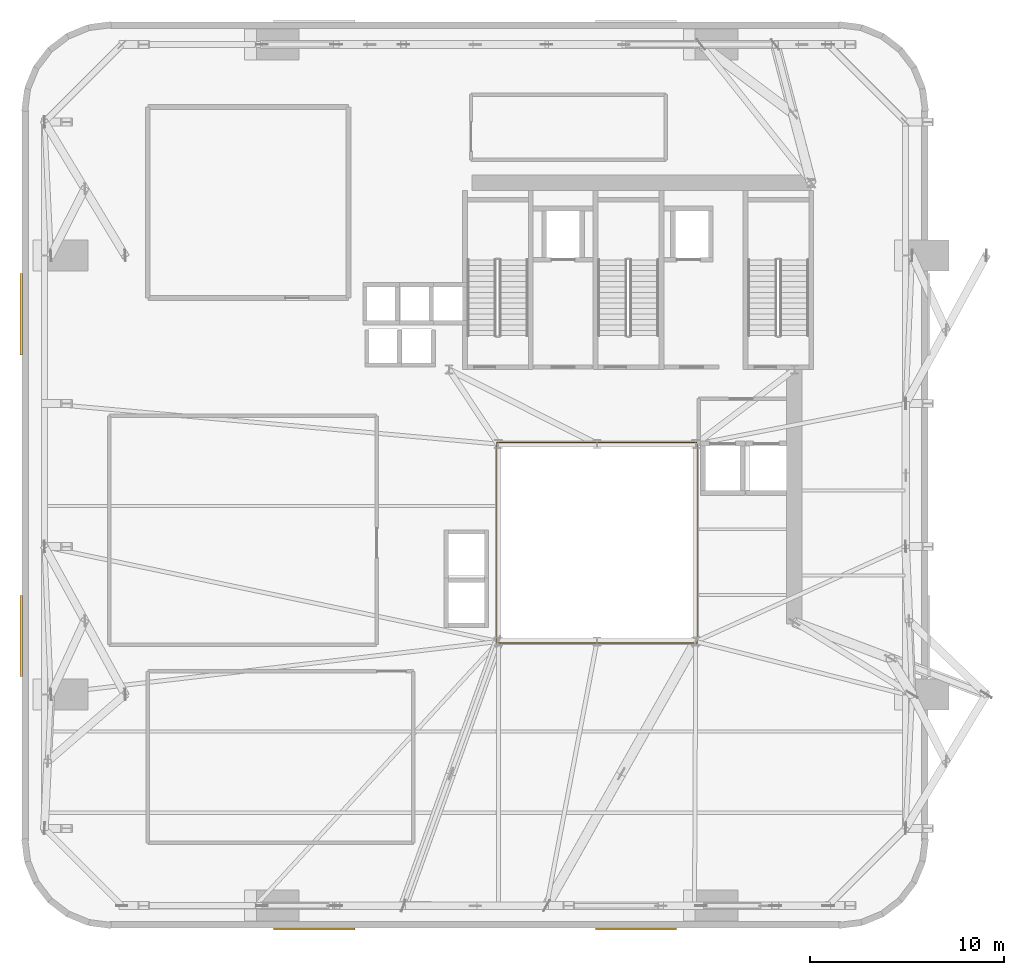
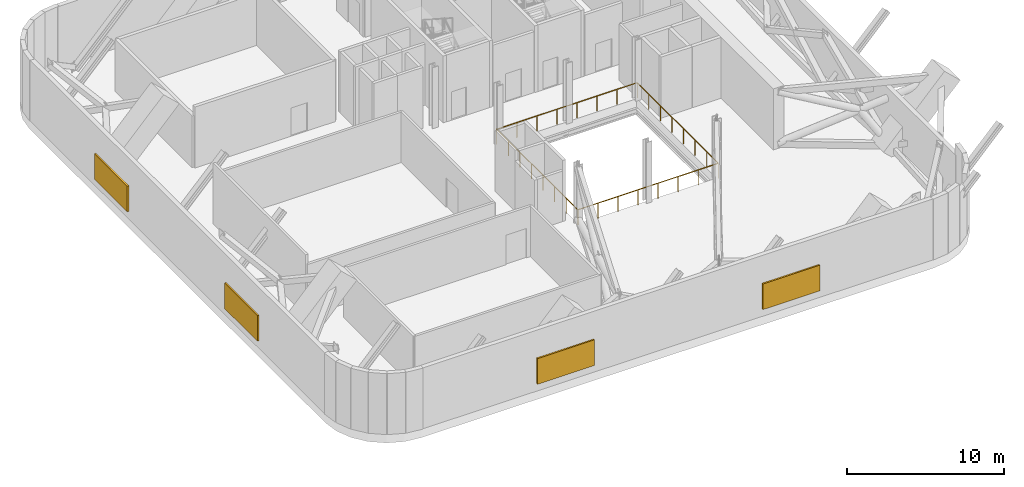
# One storey, part 10 of 12: 4 shading devices, 1 railing.
"""IFC4 building model written with IfcOpenShell, lengths in metres."""

import ifcopenshell
import ifcopenshell.guid

model = None  # the IFC model being written
_history = None  # IfcOwnerHistory: only IFC2X3 demands one
_inside = {}  # id of a spatial element -> (the spatial element, [elements in it])
_under = {}  # id of a project, library or spatial element -> (it, [spatial elements below it])
_declared = {}  # id of a project -> (the project, [libraries it declares])
_typed = {}  # id of a type object -> (the type object, [elements of that type])
_made_of = {}  # id of a material, layer set ... -> (it, [elements and type objects made of it])


def new_model(schema):
    """Start an empty IFC model of exactly this schema.

    Asked for "IFC4X3", IfcOpenShell would pick the latest addendum, in which some entities
    have other attributes; the version numbers below select the first issue.
    IFC2X3 requires an IfcOwnerHistory on every rooted entity: one is made here for all.
    """
    global model, _history
    if schema == "IFC4X3":
        model = ifcopenshell.file(schema_version=(4, 3, 0, 0))
    else:
        model = ifcopenshell.file(schema=schema)
    _inside.clear()
    _under.clear()
    _declared.clear()
    _typed.clear()
    _made_of.clear()
    _history = None
    if model.schema == "IFC2X3":
        org = make("IfcOrganization", Name="unknown")
        user = make(
            "IfcPersonAndOrganization",
            ThePerson=make("IfcPerson", FamilyName="unknown"),
            TheOrganization=org,
        )
        app = make(
            "IfcApplication",
            ApplicationDeveloper=org,
            Version="unknown",
            ApplicationFullName="unknown",
            ApplicationIdentifier="unknown",
        )
        _history = make(
            "IfcOwnerHistory",
            OwningUser=user,
            OwningApplication=app,
            ChangeAction="ADDED",
            CreationDate=0,
        )
    return model


def make(cls, **values):
    """One entity of the class cls with the attributes given. An attribute that is None is left unset."""
    return model.create_entity(
        cls, **{name: value for name, value in values.items() if value is not None}
    )


def rooted(cls, **values):
    """An entity with a GlobalId (a new one), such as an element, a storey or a relation."""
    return make(cls, GlobalId=ifcopenshell.guid.new(), OwnerHistory=_history, **values)


def si_unit(unit_type, name, prefix=None):
    """IfcSIUnit, for example si_unit("LENGTHUNIT", "METRE", prefix="MILLI")."""
    return make("IfcSIUnit", UnitType=unit_type, Prefix=prefix, Name=name)


def assignment(units):
    """IfcUnitAssignment: the units of a project."""
    return None if units is None else make("IfcUnitAssignment", Units=units)


def point(xyz):
    """IfcCartesianPoint."""
    return None if xyz is None else make("IfcCartesianPoint", Coordinates=xyz)


def direction(xyz):
    """IfcDirection."""
    return None if xyz is None else make("IfcDirection", DirectionRatios=xyz)


def frame(location, z_axis=None, x_axis=None):
    """IfcAxis2Placement3D, a coordinate frame: its origin and axes. An axis left out is left unset."""
    return make(
        "IfcAxis2Placement3D",
        Location=point(location),
        Axis=direction(z_axis),
        RefDirection=direction(x_axis),
    )


def frame_2d(location, x_axis=None):
    """IfcAxis2Placement2D, a coordinate frame in the plane: its origin and x axis."""
    return make(
        "IfcAxis2Placement2D", Location=point(location), RefDirection=direction(x_axis)
    )


def origin():
    """The frame at (0, 0, 0) with its axes left unset."""
    return frame((0.0, 0.0, 0.0))


def origin_2d():
    """The frame at (0, 0) in the plane with its x axis left unset."""
    return frame_2d((0.0, 0.0))


def place(relative_to, where):
    """IfcLocalPlacement: puts the frame where relative to a parent placement (None: the world)."""
    return make(
        "IfcLocalPlacement", PlacementRelTo=relative_to, RelativePlacement=where
    )


def context(
    kind, dimensions, precision=None, world=None, true_north=None, identifier=None
):
    """IfcGeometricRepresentationContext, for example the 3D "Model" context."""
    return make(
        "IfcGeometricRepresentationContext",
        ContextIdentifier=identifier,
        ContextType=kind,
        CoordinateSpaceDimension=dimensions,
        Precision=precision,
        WorldCoordinateSystem=world,
        TrueNorth=true_north,
    )


def subcontext(parent, identifier, kind, view, scale=None):
    """IfcGeometricRepresentationSubContext, for example "Body" below "Model"."""
    return make(
        "IfcGeometricRepresentationSubContext",
        ContextIdentifier=identifier,
        ContextType=kind,
        ParentContext=parent,
        TargetScale=scale,
        TargetView=view,
    )


def project(units=None, contexts=None):
    """IfcProject with its units and contexts."""
    return rooted(
        "IfcProject",
        Name="project",
        RepresentationContexts=contexts,
        UnitsInContext=assignment(units),
    )


def spatial(cls, under=None, at=None, **own):
    """A site, building, storey or space (cls), placed at a placement, below another one or the project."""
    s = rooted(cls, ObjectPlacement=at, **own)
    if under is not None:
        _under.setdefault(under.id(), (under, []))[1].append(s)
    return s


def profile(cls, at=None, kind="AREA", **sizes):
    """A parametric profile (cls). Its sizes go by their IFC names, for example OverallWidth=200.0."""
    return make(cls, ProfileType=kind, Position=at, **sizes)


def rectangle(**sizes):
    """IfcRectangleProfileDef."""
    return profile("IfcRectangleProfileDef", **sizes)


def extrude(swept, where, along, depth):
    """IfcExtrudedAreaSolid: the profile swept, set in the frame where, extruded along a direction by depth."""
    return make(
        "IfcExtrudedAreaSolid",
        SweptArea=swept,
        Position=where,
        ExtrudedDirection=direction(along),
        Depth=depth,
    )


def shape(context_of_items, identifier, shape_type, items):
    """IfcShapeRepresentation: the items that make up one representation, for example the "Body"."""
    return make(
        "IfcShapeRepresentation",
        ContextOfItems=context_of_items,
        RepresentationIdentifier=identifier,
        RepresentationType=shape_type,
        Items=items,
    )


def source(mapping_origin, context_of_items, identifier, shape_type, items):
    """IfcRepresentationMap: a shape defined once, which mapped items show again and again."""
    return make(
        "IfcRepresentationMap",
        MappingOrigin=mapping_origin,
        MappedRepresentation=shape(context_of_items, identifier, shape_type, items),
    )


def transform(
    local_origin,
    x_axis=None,
    y_axis=None,
    z_axis=None,
    scale=None,
    scale2=None,
    scale3=None,
    uniform=True,
):
    """IfcCartesianTransformationOperator3D, or its non-uniform kind. x_axis, y_axis, z_axis: its Axis1, 2, 3."""
    if uniform:
        return make(
            "IfcCartesianTransformationOperator3D",
            Axis1=direction(x_axis),
            Axis2=direction(y_axis),
            LocalOrigin=point(local_origin),
            Scale=scale,
            Axis3=direction(z_axis),
        )
    return make(
        "IfcCartesianTransformationOperator3DnonUniform",
        Axis1=direction(x_axis),
        Axis2=direction(y_axis),
        LocalOrigin=point(local_origin),
        Scale=scale,
        Axis3=direction(z_axis),
        Scale2=scale2,
        Scale3=scale3,
    )


def mapped(mapping_source, mapping_target):
    """IfcMappedItem: shows the shape of a source again, moved by a transform."""
    return make(
        "IfcMappedItem", MappingSource=mapping_source, MappingTarget=mapping_target
    )


def material(Name=None, Category=None):
    """IfcMaterial."""
    return make("IfcMaterial", Name=Name, Category=Category)


def layer(
    of_material, thickness, ventilated=None, Name=None, Category=None, Priority=None
):
    """IfcMaterialLayer: one layer of a wall or slab, of a material (None: an air gap)."""
    return make(
        "IfcMaterialLayer",
        Material=of_material,
        LayerThickness=thickness,
        IsVentilated=ventilated,
        Name=Name,
        Category=Category,
        Priority=Priority,
    )


def layer_set(layers, Name=None):
    """IfcMaterialLayerSet."""
    return make("IfcMaterialLayerSet", MaterialLayers=layers, LayerSetName=Name)


def made_of(thing, what):
    """Note that an element or type object is made of a material, layer set ...; save() writes the relation."""
    if what is not None:
        _made_of.setdefault(what.id(), (what, []))[1].append(thing)
    return thing


def type_object(cls, material=None, **own):
    """A type object (cls), such as IfcWallType, which elements share."""
    return made_of(rooted(cls, **own), material)


def element(
    cls,
    number,
    at=None,
    inside=None,
    cuts=None,
    type_object=None,
    material=None,
    context=None,
    identifier="Body",
    shape_type=None,
    held_by="IfcProductDefinitionShape",
    body=None,
    shapes=None,
    **own,
):
    """One element of the class cls, such as IfcWall. Its Tag is "e" and its number.

    at: its placement. inside: the storey or other place that contains it. cuts: it is an
    opening in that element (IfcRelVoidsElement). A single representation is given by context,
    identifier, shape_type and body (its items); several are given by shapes. held_by: the class
    of the entity that holds the representations. save() writes the other relations.
    """
    e = rooted(cls, Tag="e%d" % number, ObjectPlacement=at, **own)
    if body is not None:
        shapes = [shape(context, identifier, shape_type, body)]
    if shapes is not None:
        e.Representation = make(held_by, Representations=shapes)
    if inside is not None:
        _inside.setdefault(inside.id(), (inside, []))[1].append(e)
    if cuts is not None:
        rooted(
            "IfcRelVoidsElement", RelatingBuildingElement=cuts, RelatedOpeningElement=e
        )
    if type_object is not None:
        _typed.setdefault(type_object.id(), (type_object, []))[1].append(e)
    return made_of(e, material)


def aggregate(whole, parts):
    """IfcRelAggregates: a whole, such as a stair, and the parts it consists of."""
    return rooted("IfcRelAggregates", RelatingObject=whole, RelatedObjects=parts)


def save(model, path):
    """Write the relations noted so far, then the file.

    IfcRelAggregates (storeys below a building ...), IfcRelContainedInSpatialStructure (elements
    in a storey), IfcRelDefinesByType, IfcRelAssociatesMaterial and IfcRelDeclares: one each for
    every whole, place, type object, material and project.
    """
    for whole, parts in _under.values():
        aggregate(whole, parts)
    for where, things in _inside.values():
        rooted(
            "IfcRelContainedInSpatialStructure",
            RelatedElements=things,
            RelatingStructure=where,
        )
    for kind, things in _typed.values():
        rooted("IfcRelDefinesByType", RelatedObjects=things, RelatingType=kind)
    for what, things in _made_of.values():
        rooted("IfcRelAssociatesMaterial", RelatedObjects=things, RelatingMaterial=what)
    for by, libraries in _declared.values():
        rooted("IfcRelDeclares", RelatingContext=by, RelatedDefinitions=libraries)
    model.write(path)


model = new_model("IFC4")

# Units and contexts
model_context = context("Model", 3, precision=1e-05, world=origin(), true_north=direction((0.0, 1.0)))
body_context = subcontext(model_context, "Body", "Model", "MODEL_VIEW")
ifc_project = project(units=[si_unit("LENGTHUNIT", "METRE"), si_unit("AREAUNIT", "SQUARE_METRE"), si_unit("VOLUMEUNIT", "CUBIC_METRE"), si_unit("PLANEANGLEUNIT", "RADIAN"), si_unit("MASSUNIT", "GRAM", prefix="KILO")], contexts=[model_context])

# Site, building, storey
site_placement = place(None, origin())
site = spatial("IfcSite", under=ifc_project, at=site_placement, CompositionType="ELEMENT")
building_placement = place(site_placement, origin())
building = spatial("IfcBuilding", under=site, at=building_placement, Name="Vardaveli Station Tower", CompositionType="ELEMENT")
storey_placement = place(building_placement, frame((0.0, 0.0, 166.800048828125)))
storey = spatial("IfcBuildingStorey", under=building, at=storey_placement, Name="L43", CompositionType="ELEMENT", Elevation=166.800048828125)

# Shading devices
ifc_material_1 = material(Name="Anodised champagne aluminium acoustic louvre", Category="aluminium")
ifc_layer = layer(ifc_material_1, 0.1201171875, Name="Anodised champagne aluminium acoustic louvre")
ifc_layer_set = layer_set([ifc_layer], Name="Anodised champagne aluminium acoustic louvre")
shading_device_type = type_object("IfcShadingDeviceType", Name="SHD-LOUVRE-JAL", PredefinedType="JALOUSIE", material=ifc_layer_set)
shared_shape_1 = source(origin(), body_context, "Body", "SweptSolid", [
    extrude(rectangle(XDim=4.199951171875, YDim=0.1201171875, at=origin_2d()), origin(), (0.0, 0.0, 1.0), 2.0),
])
for number, where, z_axis, x_axis, name in (
    (1, (21.68408203125, 1.74609375, 0.599853515625), (0.0, 0.0, 1.0), (1.0, 0.0, 0.0), "SHD-LV-L43-S1"),
    (2, (38.31591796875, 1.74609375, 0.599853515625), (0.0, 0.0, 1.0), (1.0, 0.0, 0.0), "SHD-LV-L43-S2"),
    (3, (6.5458984375, 33.51611328125, 0.599853515625), (0.0, 0.0, 1.0), (0.0, 1.0, 0.0), "SHD-LV-L43-W1"),
    (4, (6.5458984375, 16.884033203125, 0.599853515625), (0.0, 0.0, 1.0), (0.0, 1.0, 0.0), "SHD-LV-L43-W2"),
):
    element("IfcShadingDevice", number, at=place(storey_placement, frame(where, z_axis=z_axis, x_axis=x_axis)), inside=storey, type_object=shading_device_type, Name=name, PredefinedType="JALOUSIE", context=body_context, shape_type="MappedRepresentation", body=[
        mapped(shared_shape_1, transform((0.0, 0.0, 0.0), scale=1.0)),
    ])

# Railing
ifc_material_2 = material(Name="Laminated glass and stainless steel balustrade", Category="steel")
railing_type = type_object("IfcRailingType", Name="RL-BAL-1200", PredefinedType="BALUSTRADE", material=ifc_material_2)
shared_shape_2 = source(origin(), body_context, "Body", "SweptSolid", [
    extrude(rectangle(XDim=0.048095703125, YDim=0.048095703125, at=origin_2d()), frame((0.0, 0.0, 1.17578125), z_axis=(1.0, 0.0, 0.0), x_axis=(0.0, 1.0, 0.0)), (0.0, 0.0, 1.0), 10.35986328125),
    extrude(rectangle(XDim=0.048095703125, YDim=0.048095703125, at=origin_2d()), frame((10.35986328125, 0.0, 1.17578125), z_axis=(0.0, 1.0, 0.0), x_axis=(-1.0, 0.0, 0.0)), (0.0, 0.0, 1.0), 10.35986328125),
    extrude(rectangle(XDim=0.048095703125, YDim=0.048095703125, at=origin_2d()), frame((10.35986328125, 10.35986328125, 1.17578125), z_axis=(-1.0, 0.0, 0.0), x_axis=(0.0, -1.0, 0.0)), (0.0, 0.0, 1.0), 10.35986328125),
    extrude(rectangle(XDim=0.048095703125, YDim=0.048095703125, at=origin_2d()), frame((0.0, 10.35986328125, 1.17578125), z_axis=(0.0, -1.0, 0.0), x_axis=(1.0, 0.0, 0.0)), (0.0, 0.0, 1.0), 10.35986328125),
    extrude(rectangle(XDim=0.0419921875, YDim=0.0419921875, at=origin_2d()), origin(), (0.0, 0.0, 1.0), 1.15185546875),
    extrude(rectangle(XDim=0.0419921875, YDim=0.0419921875, at=origin_2d()), frame((1.47998046875, 0.0, 0.0)), (0.0, 0.0, 1.0), 1.15185546875),
    extrude(rectangle(XDim=0.0419921875, YDim=0.0419921875, at=origin_2d()), frame((2.9599609375, 0.0, 0.0)), (0.0, 0.0, 1.0), 1.15185546875),
    extrude(rectangle(XDim=0.0419921875, YDim=0.0419921875, at=origin_2d()), frame((4.43994140625, 0.0, 0.0)), (0.0, 0.0, 1.0), 1.15185546875),
    extrude(rectangle(XDim=0.0419921875, YDim=0.0419921875, at=origin_2d()), frame((5.919921875, 0.0, 0.0)), (0.0, 0.0, 1.0), 1.15185546875),
    extrude(rectangle(XDim=0.0419921875, YDim=0.0419921875, at=origin_2d()), frame((7.39990234375, 0.0, 0.0)), (0.0, 0.0, 1.0), 1.15185546875),
    extrude(rectangle(XDim=0.0419921875, YDim=0.0419921875, at=origin_2d()), frame((8.8798828125, 0.0, 0.0)), (0.0, 0.0, 1.0), 1.15185546875),
    extrude(rectangle(XDim=0.0419921875, YDim=0.0419921875, at=origin_2d()), frame((10.35986328125, 0.0, 0.0)), (0.0, 0.0, 1.0), 1.15185546875),
    extrude(rectangle(XDim=0.0419921875, YDim=0.0419921875, at=origin_2d()), frame((10.35986328125, 1.47998046875, 0.0)), (0.0, 0.0, 1.0), 1.15185546875),
    extrude(rectangle(XDim=0.0419921875, YDim=0.0419921875, at=origin_2d()), frame((10.35986328125, 2.9599609375, 0.0)), (0.0, 0.0, 1.0), 1.15185546875),
    extrude(rectangle(XDim=0.0419921875, YDim=0.0419921875, at=origin_2d()), frame((10.35986328125, 4.43994140625, 0.0)), (0.0, 0.0, 1.0), 1.15185546875),
    extrude(rectangle(XDim=0.0419921875, YDim=0.0419921875, at=origin_2d()), frame((10.35986328125, 5.919921875, 0.0)), (0.0, 0.0, 1.0), 1.15185546875),
    extrude(rectangle(XDim=0.0419921875, YDim=0.0419921875, at=origin_2d()), frame((10.35986328125, 7.39990234375, 0.0)), (0.0, 0.0, 1.0), 1.15185546875),
    extrude(rectangle(XDim=0.0419921875, YDim=0.0419921875, at=origin_2d()), frame((10.35986328125, 8.8798828125, 0.0)), (0.0, 0.0, 1.0), 1.15185546875),
    extrude(rectangle(XDim=0.0419921875, YDim=0.0419921875, at=origin_2d()), frame((10.35986328125, 10.35986328125, 0.0)), (0.0, 0.0, 1.0), 1.15185546875),
    extrude(rectangle(XDim=0.0419921875, YDim=0.0419921875, at=origin_2d()), frame((8.8798828125, 10.35986328125, 0.0)), (0.0, 0.0, 1.0), 1.15185546875),
    extrude(rectangle(XDim=0.0419921875, YDim=0.0419921875, at=origin_2d()), frame((7.39990234375, 10.35986328125, 0.0)), (0.0, 0.0, 1.0), 1.15185546875),
    extrude(rectangle(XDim=0.0419921875, YDim=0.0419921875, at=origin_2d()), frame((5.919921875, 10.35986328125, 0.0)), (0.0, 0.0, 1.0), 1.15185546875),
    extrude(rectangle(XDim=0.0419921875, YDim=0.0419921875, at=origin_2d()), frame((4.43994140625, 10.35986328125, 0.0)), (0.0, 0.0, 1.0), 1.15185546875),
    extrude(rectangle(XDim=0.0419921875, YDim=0.0419921875, at=origin_2d()), frame((2.9599609375, 10.35986328125, 0.0)), (0.0, 0.0, 1.0), 1.15185546875),
    extrude(rectangle(XDim=0.0419921875, YDim=0.0419921875, at=origin_2d()), frame((1.47998046875, 10.35986328125, 0.0)), (0.0, 0.0, 1.0), 1.15185546875),
    extrude(rectangle(XDim=0.0419921875, YDim=0.0419921875, at=origin_2d()), frame((0.0, 10.35986328125, 0.0)), (0.0, 0.0, 1.0), 1.15185546875),
    extrude(rectangle(XDim=0.0419921875, YDim=0.0419921875, at=origin_2d()), frame((0.0, 8.8798828125, 0.0)), (0.0, 0.0, 1.0), 1.15185546875),
    extrude(rectangle(XDim=0.0419921875, YDim=0.0419921875, at=origin_2d()), frame((0.0, 7.39990234375, 0.0)), (0.0, 0.0, 1.0), 1.15185546875),
    extrude(rectangle(XDim=0.0419921875, YDim=0.0419921875, at=origin_2d()), frame((0.0, 5.919921875, 0.0)), (0.0, 0.0, 1.0), 1.15185546875),
    extrude(rectangle(XDim=0.0419921875, YDim=0.0419921875, at=origin_2d()), frame((0.0, 4.43994140625, 0.0)), (0.0, 0.0, 1.0), 1.15185546875),
    extrude(rectangle(XDim=0.0419921875, YDim=0.0419921875, at=origin_2d()), frame((0.0, 2.9599609375, 0.0)), (0.0, 0.0, 1.0), 1.15185546875),
    extrude(rectangle(XDim=0.0419921875, YDim=0.0419921875, at=origin_2d()), frame((0.0, 1.47998046875, 0.0)), (0.0, 0.0, 1.0), 1.15185546875),
])
railing_placement = place(storey_placement, frame((31.1201171875, 16.52001953125, 0.0)))
element("IfcRailing", 5, at=railing_placement, inside=storey, type_object=railing_type, Name="RL-ATR-L43", PredefinedType="BALUSTRADE", context=body_context, shape_type="MappedRepresentation", body=[
    mapped(shared_shape_2, transform((0.0, 0.0, 0.0), scale=1.0)),
])

save(model, "model.ifc")
